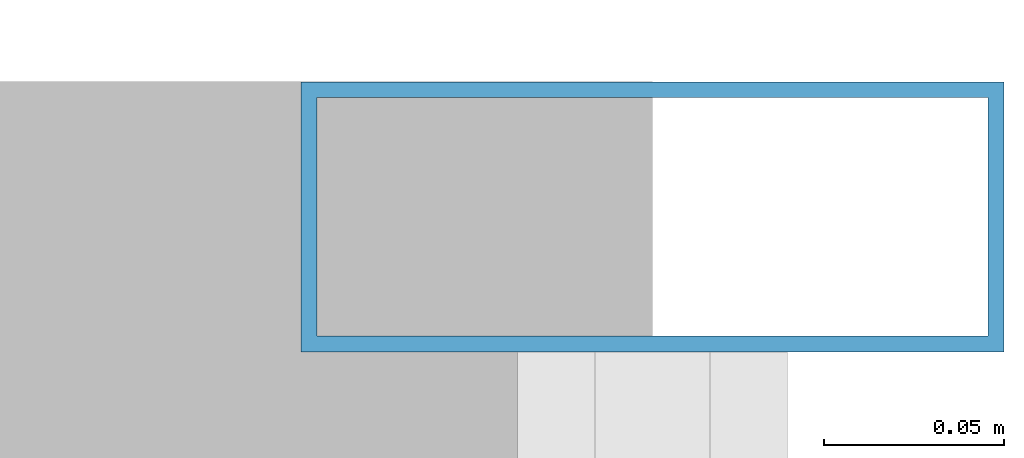
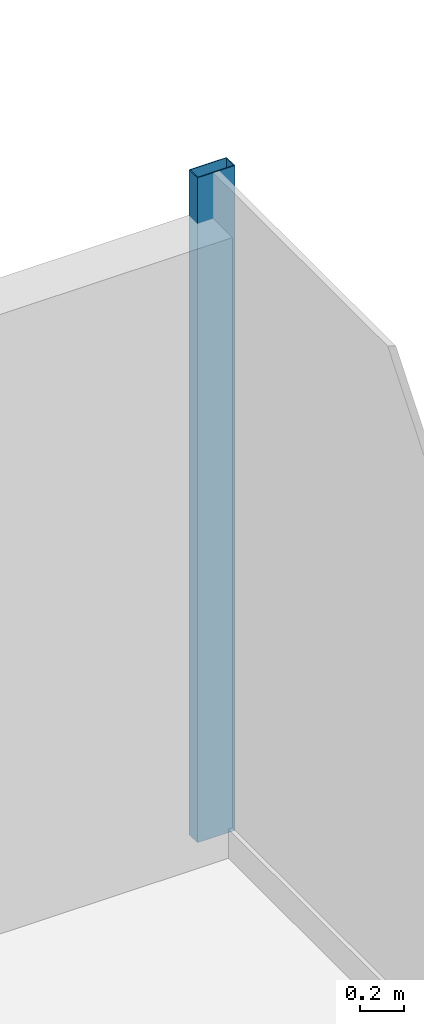
# One storey, part 18 of 25: 1 member, 1 element without a shape of its own.
"""IFC4 building model written with IfcOpenShell, lengths in metres."""

from ifc_helpers import new_model, si_unit, derived_unit, direction, frame, origin, origin_2d, place, context, subcontext, project, spatial, hollow_rectangle, extrude, source, transform, mapped, material, material_profile, profile_set, type_object, element, aggregate, save


model = new_model("IFC4")

# Units and contexts
model_context = context("Model", 3, precision=1e-05, world=origin(), true_north=direction((0.0, 1.0)))
body_context = subcontext(model_context, "Body", "Model", "MODEL_VIEW")
ifc_project = project(units=[si_unit("LENGTHUNIT", "METRE"), si_unit("AREAUNIT", "SQUARE_METRE"), si_unit("VOLUMEUNIT", "CUBIC_METRE"), si_unit("PLANEANGLEUNIT", "RADIAN"), si_unit("MASSUNIT", "GRAM", prefix="KILO"), derived_unit("THERMALTRANSMITTANCEUNIT", [(si_unit("POWERUNIT", "WATT"), 1), (si_unit("LENGTHUNIT", "METRE"), -2), (si_unit("THERMODYNAMICTEMPERATUREUNIT", "KELVIN"), -1)])], contexts=[model_context])

# Site, building, storey
site_placement = place(None, origin())
site = spatial("IfcSite", under=ifc_project, at=site_placement, CompositionType="ELEMENT")
building_placement = place(site_placement, origin())
building = spatial("IfcBuilding", under=site, at=building_placement, Name="Skarnbrae Concourse Arena and Tower", CompositionType="ELEMENT")
storey_placement = place(building_placement, frame((0.0, 0.0, 173.449951171875)))
storey = spatial("IfcBuildingStorey", under=building, at=storey_placement, Name="L44", CompositionType="ELEMENT", Elevation=173.449951171875)

# Curtain wall, member
ifc_material = material(Name="Bronze anodised aluminium 6063-T6", Category="aluminium")
curtain_wall_type = type_object("IfcCurtainWallType", Name="CW-SYS-04-MIDZONE", PredefinedType="USERDEFINED", material=ifc_material)
curtain_wall_placement = place(storey_placement, origin())
curtain_wall = element("IfcCurtainWall", 1, at=curtain_wall_placement, inside=storey, type_object=curtain_wall_type, Name="L44 Unitised curtain wall CW-L44-E04", ObjectType="UNITISED CURTAIN WALL", PredefinedType="USERDEFINED")
ifc_material_profile = material_profile(ifc_material, hollow_rectangle(XDim=0.074951171875, YDim=0.195068359375, WallThickness=0.00439453125, at=origin_2d()), Name="ALU-MULL-75X195")
ifc_profile_set = profile_set([ifc_material_profile], Name="Bronze anodised aluminium 6063-T6")
member_type = type_object("IfcMemberType", Name="CWM-CW-04", PredefinedType="MULLION", material=ifc_profile_set)
shared_shape = source(origin(), body_context, "Body", "SweptSolid", [
    extrude(hollow_rectangle(XDim=0.074951171875, YDim=0.195068359375, WallThickness=0.00439453125, at=origin_2d()), origin(), (0.0, 0.0, 1.0), 3.650146484375),
])
member_placement = place(storey_placement, frame((50.0, 32.96240234375, 0.0), z_axis=(0.0, 0.0, 1.0), x_axis=(0.0, 1.0, 0.0)))
member = element("IfcMember", 2, at=member_placement, type_object=member_type, Name="CW-L44-E04 Mullion 5", PredefinedType="MULLION", context=body_context, shape_type="MappedRepresentation", body=[
    mapped(shared_shape, transform((0.0, 0.0, 0.0))),
])
aggregate(curtain_wall, [member])

save(model, "model.ifc")
